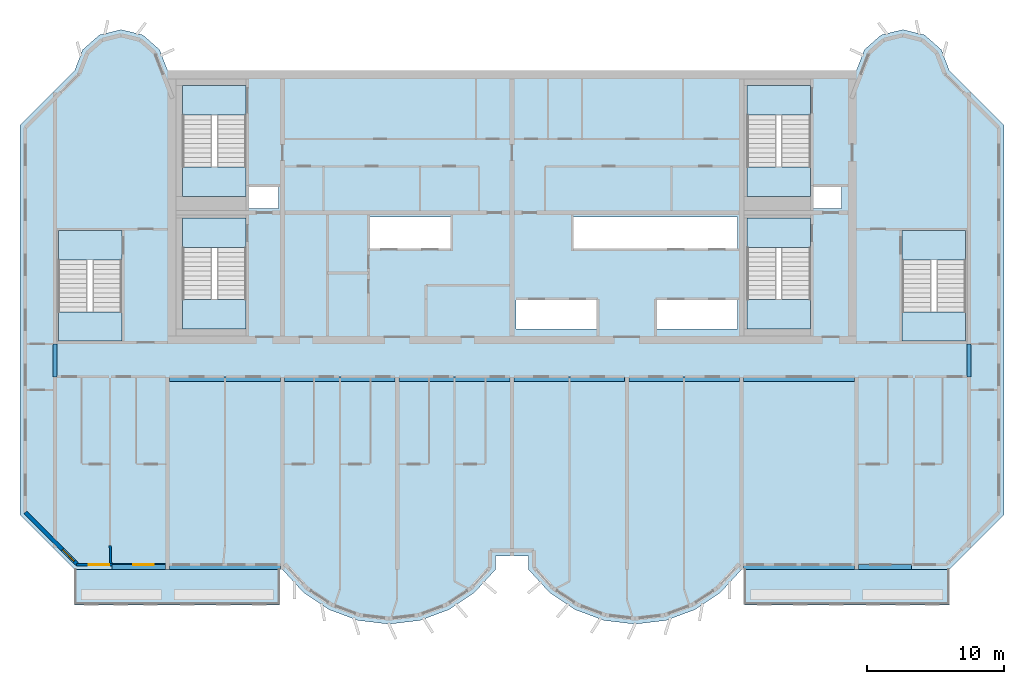
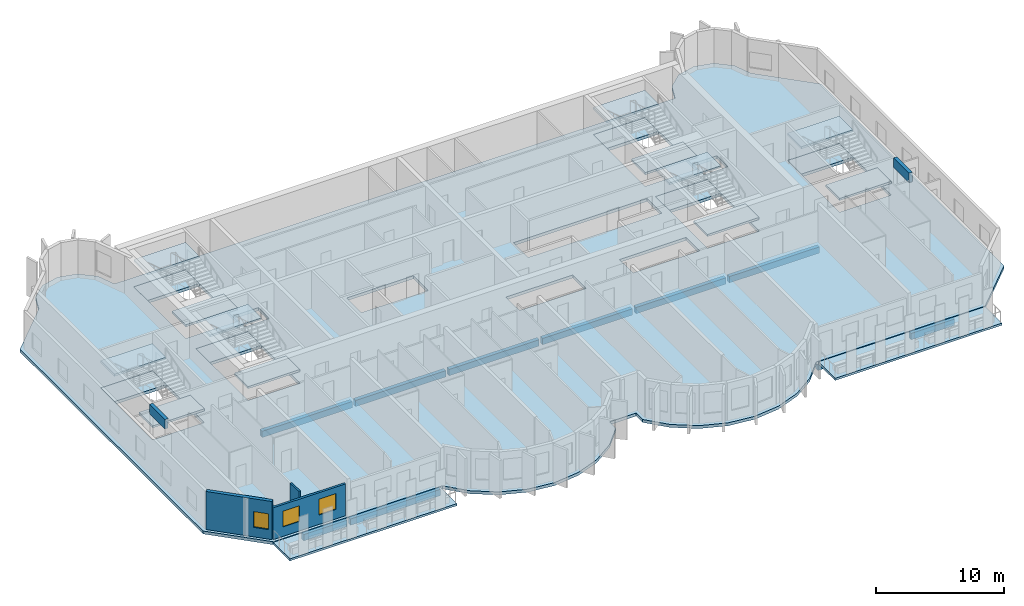
# One storey, part 1 of 11: 21 slabs, 12 beams, 3 walls, 3 windows, 3 openings, 6 elements without a shape of their own.
"""IFC4 building model written with IfcOpenShell, lengths in metres."""

from ifc_helpers import new_model, si_unit, direction, frame, frame_2d, origin, origin_2d, place, context, subcontext, project, spatial, polyline, rectangle, outline, extrude, source, transform, mapped, material, layer, layer_set, material_profile, profile_set, type_object, element, fill, aggregate, save


model = new_model("IFC4")

# Units and contexts
model_context = context("Model", 3, precision=1e-05, world=origin(), true_north=direction((0.0, 1.0)))
body_context = subcontext(model_context, "Body", "Model", "MODEL_VIEW")
ifc_project = project(units=[si_unit("LENGTHUNIT", "METRE"), si_unit("AREAUNIT", "SQUARE_METRE"), si_unit("VOLUMEUNIT", "CUBIC_METRE"), si_unit("PLANEANGLEUNIT", "RADIAN"), si_unit("MASSUNIT", "GRAM", prefix="KILO")], contexts=[model_context])

# Site, building, storey
site_placement = place(None, origin())
site = spatial("IfcSite", under=ifc_project, at=site_placement, CompositionType="ELEMENT")
building_placement = place(site_placement, origin())
building = spatial("IfcBuilding", under=site, at=building_placement, Name="Vanashikhar Sky Hotel", CompositionType="ELEMENT")
storey_placement = place(building_placement, frame((0.0, 0.0, 241.300048828125)))
storey = spatial("IfcBuildingStorey", under=building, at=storey_placement, Name="L58", CompositionType="ELEMENT", Elevation=241.300048828125)

# Beams
ifc_material_1 = material(Name="Concrete M50", Category="concrete")
ifc_material_profile_1 = material_profile(ifc_material_1, rectangle(XDim=0.300048828125, YDim=0.89990234375, at=origin_2d()))
ifc_profile_set_1 = profile_set([ifc_material_profile_1], Name="RC 300x900 beam Concrete M50")
beam_type_1 = type_object("IfcBeamType", Name="RC 300x900 beam Concrete M50", PredefinedType="LINTEL", material=ifc_profile_set_1)
shared_shape_1 = source(origin(), body_context, "Body", "SweptSolid", [
    extrude(rectangle(XDim=0.300048828125, YDim=0.89990234375, at=origin_2d()), origin(), (0.0, 0.0, 1.0), 2.39990234375),
])
for number, where, z_axis, x_axis, name in (
    (1, (16.949951171875, 19.60009765625, 3.169921875), (0.0, 1.0, 0.0), (-1.0, 0.0, 0.0), "LB-L58-XW03"),
    (2, (83.85009765625, 19.60009765625, 3.169921875), (0.0, 1.0, 0.0), (-1.0, 0.0, 0.0), "LB-L58-XW11"),
):
    element("IfcBeam", number, at=place(storey_placement, frame(where, z_axis=z_axis, x_axis=x_axis)), inside=storey, type_object=beam_type_1, Name=name, PredefinedType="LINTEL", context=body_context, shape_type="MappedRepresentation", body=[
        mapped(shared_shape_1, transform((0.0, 0.0, 0.0), scale=1.0)),
    ])
ifc_material_profile_2 = material_profile(ifc_material_1, rectangle(XDim=0.35009765625, YDim=0.60009765625, at=origin_2d()))
ifc_profile_set_2 = profile_set([ifc_material_profile_2], Name="RC 350x600 beam Concrete M50")
beam_type_2 = type_object("IfcBeamType", Name="RC 350x600 beam Concrete M50", PredefinedType="SPANDREL", material=ifc_profile_set_2)
shared_shape_2 = source(origin(), body_context, "Body", "SweptSolid", [
    extrude(rectangle(XDim=0.35009765625, YDim=0.60009765625, at=origin_2d()), origin(), (0.0, 0.0, 1.0), 8.099853515625),
])
for number, where, z_axis, x_axis, name in (
    (3, (25.35009765625, 5.675048828125, -0.580078125), (1.0, 0.0, 0.0), (0.0, 1.0, 0.0), "EB-L58-F01"),
    (4, (67.35009765625, 5.675048828125, -0.580078125), (1.0, 0.0, 0.0), (0.0, 1.0, 0.0), "EB-L58-F03"),
    (5, (25.35009765625, 19.425048828125, -0.580078125), (1.0, 0.0, 0.0), (0.0, 1.0, 0.0), "CB-L58-01"),
    (6, (50.550048828125, 19.425048828125, -0.580078125), (1.0, 0.0, 0.0), (0.0, 1.0, 0.0), "CB-L58-04"),
    (7, (67.35009765625, 19.425048828125, -0.580078125), (1.0, 0.0, 0.0), (0.0, 1.0, 0.0), "CB-L58-06"),
):
    element("IfcBeam", number, at=place(storey_placement, frame(where, z_axis=z_axis, x_axis=x_axis)), inside=storey, type_object=beam_type_2, Name=name, PredefinedType="SPANDREL", context=body_context, shape_type="MappedRepresentation", body=[
        mapped(shared_shape_2, transform((0.0, 0.0, 0.0), scale=1.0)),
    ])
ifc_material_profile_3 = material_profile(ifc_material_1, rectangle(XDim=0.35009765625, YDim=0.60009765625, at=origin_2d()))
ifc_profile_set_3 = profile_set([ifc_material_profile_3], Name="RC 350x600 cantilever beam Concrete M50")
beam_type_3 = type_object("IfcBeamType", Name="RC 350x600 cantilever beam Concrete M50", PredefinedType="SPANDREL", material=ifc_profile_set_3)
shared_shape_3 = source(origin(), body_context, "Body", "SweptSolid", [
    extrude(rectangle(XDim=0.35009765625, YDim=0.60009765625, at=origin_2d()), origin(), (0.0, 0.0, 1.0), 3.900146484375),
])
beam_1_placement = place(storey_placement, frame((21.14990234375, 5.675048828125, -0.580078125), z_axis=(1.0, 0.0, 0.0), x_axis=(0.0, 1.0, 0.0)))
element("IfcBeam", 8, at=beam_1_placement, inside=storey, type_object=beam_type_3, Name="EB-L58-F02", PredefinedType="SPANDREL", context=body_context, shape_type="MappedRepresentation", body=[
    mapped(shared_shape_3, transform((0.0, 0.0, 0.0), scale=1.0)),
])
shared_shape_4 = source(origin(), body_context, "Body", "SweptSolid", [
    extrude(rectangle(XDim=0.35009765625, YDim=0.60009765625, at=origin_2d()), origin(), (0.0, 0.0, 1.0), 3.89990234375),
])
beam_2_placement = place(storey_placement, frame((75.75, 5.675048828125, -0.580078125), z_axis=(1.0, 0.0, 0.0), x_axis=(0.0, 1.0, 0.0)))
element("IfcBeam", 9, at=beam_2_placement, inside=storey, type_object=beam_type_3, Name="EB-L58-F04", PredefinedType="SPANDREL", context=body_context, shape_type="MappedRepresentation", body=[
    mapped(shared_shape_4, transform((0.0, 0.0, 0.0), scale=1.0)),
])
shared_shape_5 = source(origin(), body_context, "Body", "SweptSolid", [
    extrude(rectangle(XDim=0.35009765625, YDim=0.60009765625, at=origin_2d()), origin(), (0.0, 0.0, 1.0), 8.10009765625),
])
for number, where, z_axis, x_axis, name in (
    (10, (33.75, 19.425048828125, -0.580078125), (1.0, 0.0, 0.0), (0.0, 1.0, 0.0), "CB-L58-02"),
    (11, (42.14990234375, 19.425048828125, -0.580078125), (1.0, 0.0, 0.0), (0.0, 1.0, 0.0), "CB-L58-03"),
    (12, (58.949951171875, 19.425048828125, -0.580078125), (1.0, 0.0, 0.0), (0.0, 1.0, 0.0), "CB-L58-05"),
):
    element("IfcBeam", number, at=place(storey_placement, frame(where, z_axis=z_axis, x_axis=x_axis)), inside=storey, type_object=beam_type_2, Name=name, PredefinedType="SPANDREL", context=body_context, shape_type="MappedRepresentation", body=[
        mapped(shared_shape_5, transform((0.0, 0.0, 0.0), scale=1.0)),
    ])

# Slabs
ifc_material_2 = material(Name="Concrete M40", Category="concrete")
ifc_layer_1 = layer(ifc_material_2, 0.280029296875)
ifc_layer_set_1 = layer_set([ifc_layer_1], Name="Floor slab 280 mm")
slab_type_1 = type_object("IfcSlabType", Name="Floor slab 280 mm", PredefinedType="FLOOR", material=ifc_layer_set_1)
shared_shape_6 = source(origin(), body_context, "Body", "SweptSolid", [
    extrude(outline(polyline([(49.199951171875, 5.5), (49.199951171875, 6.5), (51.60009765625, 6.5), (51.60009765625, 5.5), (53.133056640625, 3.825927734375), (55.01708984375, 2.55810546875), (57.14599609375, 1.76806640625), (59.39990234375, 1.5), (61.654052734375, 1.76806640625), (63.782958984375, 2.55810546875), (65.6669921875, 3.825927734375), (67.199951171875, 5.5), (82.39990234375, 5.5), (86.39990234375, 9.5), (86.39990234375, 38.0), (82.39990234375, 42.0), (81.81494140625, 43.527099609375), (80.587890625, 44.610107421875), (79.0, 45.0), (77.412109375, 44.610107421875), (76.18505859375, 43.527099609375), (75.60009765625, 42.0), (25.199951171875, 42.0), (24.614990234375, 43.527099609375), (23.387939453125, 44.610107421875), (21.800048828125, 45.0), (20.2119140625, 44.610107421875), (18.985107421875, 43.527099609375), (18.39990234375, 42.0), (14.39990234375, 38.0), (14.39990234375, 9.5), (18.39990234375, 5.5), (33.60009765625, 5.5), (35.133056640625, 3.825927734375), (37.01708984375, 2.55810546875), (39.14599609375, 1.76806640625), (41.39990234375, 1.5), (43.654052734375, 1.76806640625), (45.782958984375, 2.55810546875), (47.6669921875, 3.825927734375), (49.199951171875, 5.5)]), holes=[polyline([(33.300048828125, 33.60009765625), (31.050048828125, 33.60009765625), (31.050048828125, 31.89990234375), (33.300048828125, 31.89990234375), (33.300048828125, 33.60009765625)]), polyline([(39.89990234375, 31.300048828125), (39.89990234375, 29.0), (45.89990234375, 29.0), (45.89990234375, 31.300048828125), (39.89990234375, 31.300048828125)]), polyline([(50.699951171875, 25.199951171875), (50.699951171875, 23.10009765625), (56.699951171875, 23.10009765625), (56.699951171875, 25.199951171875), (50.699951171875, 25.199951171875)]), polyline([(66.89990234375, 29.0), (66.89990234375, 31.300048828125), (54.89990234375, 31.300048828125), (54.89990234375, 29.0), (66.89990234375, 29.0)]), polyline([(60.89990234375, 25.199951171875), (60.89990234375, 23.10009765625), (66.89990234375, 23.10009765625), (66.89990234375, 25.199951171875), (60.89990234375, 25.199951171875)]), polyline([(74.5, 33.60009765625), (72.35009765625, 33.60009765625), (72.35009765625, 31.89990234375), (74.5, 31.89990234375), (74.5, 33.60009765625)]), polyline([(30.949951171875, 23.10009765625), (30.949951171875, 31.199951171875), (26.300048828125, 31.199951171875), (26.300048828125, 23.10009765625), (30.949951171875, 23.10009765625)]), polyline([(72.25, 23.10009765625), (72.25, 31.199951171875), (67.60009765625, 31.199951171875), (67.60009765625, 23.10009765625), (72.25, 23.10009765625)]), polyline([(30.949951171875, 32.800048828125), (30.949951171875, 40.89990234375), (26.300048828125, 40.89990234375), (26.300048828125, 32.800048828125), (30.949951171875, 32.800048828125)]), polyline([(72.25, 32.800048828125), (72.25, 40.89990234375), (67.60009765625, 40.89990234375), (67.60009765625, 32.800048828125), (72.25, 32.800048828125)]), polyline([(83.60009765625, 22.199951171875), (83.60009765625, 30.300048828125), (78.949951171875, 30.300048828125), (78.949951171875, 22.199951171875), (83.60009765625, 22.199951171875)]), polyline([(21.85009765625, 22.199951171875), (21.85009765625, 30.300048828125), (17.199951171875, 30.300048828125), (17.199951171875, 22.199951171875), (21.85009765625, 22.199951171875)])]), origin(), (0.0, 0.0, 1.0), 0.280029296875),
])
slab_1_placement = place(storey_placement, frame((0.0, 0.0, -0.280029296875)))
element("IfcSlab", 13, at=slab_1_placement, inside=storey, type_object=slab_type_1, Name="Floor slab L58", PredefinedType="FLOOR", context=body_context, shape_type="MappedRepresentation", body=[
    mapped(shared_shape_6, transform((0.0, 0.0, 0.0), scale=1.0)),
])
ifc_layer_2 = layer(ifc_material_2, 0.199951171875)
ifc_layer_set_2 = layer_set([ifc_layer_2], Name="Balcony slab 200 mm")
slab_type_2 = type_object("IfcSlabType", Name="Balcony slab 200 mm", PredefinedType="USERDEFINED", material=ifc_layer_set_2)
shared_shape_7 = source(origin(), body_context, "Body", "SweptSolid", [
    extrude(outline(polyline([(18.39990234375, 2.89990234375), (33.39990234375, 2.89990234375), (33.39990234375, 5.5), (18.39990234375, 5.5), (18.39990234375, 2.89990234375)])), origin(), (0.0, 0.0, 1.0), 0.199951171875),
])
slab_2_placement = place(storey_placement, frame((0.0, 0.0, -0.25)))
element("IfcSlab", 14, at=slab_2_placement, inside=storey, type_object=slab_type_2, Name="Balcony slab L58 1", ObjectType="BALCONY", PredefinedType="USERDEFINED", context=body_context, shape_type="MappedRepresentation", body=[
    mapped(shared_shape_7, transform((0.0, 0.0, 0.0), scale=1.0)),
])
shared_shape_8 = source(origin(), body_context, "Body", "SweptSolid", [
    extrude(outline(polyline([(67.39990234375, 2.89990234375), (82.39990234375, 2.89990234375), (82.39990234375, 5.5), (67.39990234375, 5.5), (67.39990234375, 2.89990234375)])), origin(), (0.0, 0.0, 1.0), 0.199951171875),
])
slab_3_placement = place(storey_placement, frame((0.0, 0.0, -0.25)))
element("IfcSlab", 15, at=slab_3_placement, inside=storey, type_object=slab_type_2, Name="Balcony slab L58 2", ObjectType="BALCONY", PredefinedType="USERDEFINED", context=body_context, shape_type="MappedRepresentation", body=[
    mapped(shared_shape_8, transform((0.0, 0.0, 0.0), scale=1.0)),
])

# Stair, slabs
stair_type = type_object("IfcStairType", Name="Exit stair 2150", PredefinedType="DOUBLE_RETURN_STAIR", material=ifc_material_2)
stair_1_placement = place(storey_placement, origin())
stair_1 = element("IfcStair", 16, at=stair_1_placement, inside=storey, type_object=stair_type, Name="L58 Exit stair 1", PredefinedType="DOUBLE_RETURN_STAIR")
ifc_layer_3 = layer(ifc_material_2, 0.199951171875)
ifc_layer_set_3 = layer_set([ifc_layer_3], Name="Stair landing 200")
slab_type_3 = type_object("IfcSlabType", Name="Stair landing 200", PredefinedType="LANDING", material=ifc_layer_set_3)
shared_shape_9 = source(origin(), body_context, "Body", "SweptSolid", [
    extrude(outline(polyline([(30.949951171875, 29.050048828125), (30.949951171875, 31.199951171875), (26.300048828125, 31.199951171875), (26.300048828125, 29.050048828125), (30.949951171875, 29.050048828125)])), origin(), (0.0, 0.0, 1.0), 0.199951171875),
])
slab_4_placement = place(storey_placement, frame((0.0, 0.0, 2.39990234375)))
slab_4 = element("IfcSlab", 17, at=slab_4_placement, type_object=slab_type_3, Name="ST-C1 landing 2", PredefinedType="LANDING", context=body_context, shape_type="MappedRepresentation", body=[
    mapped(shared_shape_9, transform((0.0, 0.0, 0.0), scale=1.0)),
])
shared_shape_10 = source(origin(), body_context, "Body", "SweptSolid", [
    extrude(outline(polyline([(30.949951171875, 23.10009765625), (30.949951171875, 25.25), (26.300048828125, 25.25), (26.300048828125, 23.10009765625), (30.949951171875, 23.10009765625)])), origin(), (0.0, 0.0, 1.0), 0.2001953125),
])
slab_5_placement = place(storey_placement, frame((0.0, 0.0, 1.099853515625)))
slab_5 = element("IfcSlab", 18, at=slab_5_placement, type_object=slab_type_3, Name="ST-C1 landing 1", PredefinedType="LANDING", context=body_context, shape_type="MappedRepresentation", body=[
    mapped(shared_shape_10, transform((0.0, 0.0, 0.0), scale=1.0)),
])
aggregate(stair_1, [slab_5, slab_4])

# Slab
ifc_layer_4 = layer(ifc_material_2, 0.280029296875)
ifc_layer_set_4 = layer_set([ifc_layer_4], Name="Stair floor landing 280")
slab_type_4 = type_object("IfcSlabType", Name="Stair floor landing 280", PredefinedType="LANDING", material=ifc_layer_set_4)
shared_shape_11 = source(origin(), body_context, "Body", "SweptSolid", [
    extrude(outline(polyline([(30.949951171875, 29.050048828125), (30.949951171875, 31.199951171875), (26.300048828125, 31.199951171875), (26.300048828125, 29.050048828125), (30.949951171875, 29.050048828125)])), origin(), (0.0, 0.0, 1.0), 0.280029296875),
])
slab_6_placement = place(storey_placement, frame((0.0, 0.0, -0.280029296875)))
element("IfcSlab", 19, at=slab_6_placement, inside=storey, type_object=slab_type_4, Name="Exit stair 1 floor landing", PredefinedType="LANDING", context=body_context, shape_type="MappedRepresentation", body=[
    mapped(shared_shape_11, transform((0.0, 0.0, 0.0), scale=1.0)),
])

# Stair, slabs
stair_2_placement = place(storey_placement, origin())
stair_2 = element("IfcStair", 20, at=stair_2_placement, inside=storey, type_object=stair_type, Name="L58 Exit stair 2", PredefinedType="DOUBLE_RETURN_STAIR")
shared_shape_12 = source(origin(), body_context, "Body", "SweptSolid", [
    extrude(outline(polyline([(72.25, 29.050048828125), (72.25, 31.199951171875), (67.60009765625, 31.199951171875), (67.60009765625, 29.050048828125), (72.25, 29.050048828125)])), origin(), (0.0, 0.0, 1.0), 0.199951171875),
])
slab_7_placement = place(storey_placement, frame((0.0, 0.0, 2.39990234375)))
slab_7 = element("IfcSlab", 21, at=slab_7_placement, type_object=slab_type_3, Name="ST-C2 landing 2", PredefinedType="LANDING", context=body_context, shape_type="MappedRepresentation", body=[
    mapped(shared_shape_12, transform((0.0, 0.0, 0.0), scale=1.0)),
])
shared_shape_13 = source(origin(), body_context, "Body", "SweptSolid", [
    extrude(outline(polyline([(72.25, 23.10009765625), (72.25, 25.25), (67.60009765625, 25.25), (67.60009765625, 23.10009765625), (72.25, 23.10009765625)])), origin(), (0.0, 0.0, 1.0), 0.2001953125),
])
slab_8_placement = place(storey_placement, frame((0.0, 0.0, 1.099853515625)))
slab_8 = element("IfcSlab", 22, at=slab_8_placement, type_object=slab_type_3, Name="ST-C2 landing 1", PredefinedType="LANDING", context=body_context, shape_type="MappedRepresentation", body=[
    mapped(shared_shape_13, transform((0.0, 0.0, 0.0), scale=1.0)),
])
aggregate(stair_2, [slab_8, slab_7])

# Slab
shared_shape_14 = source(origin(), body_context, "Body", "SweptSolid", [
    extrude(outline(polyline([(72.25, 29.050048828125), (72.25, 31.199951171875), (67.60009765625, 31.199951171875), (67.60009765625, 29.050048828125), (72.25, 29.050048828125)])), origin(), (0.0, 0.0, 1.0), 0.280029296875),
])
slab_9_placement = place(storey_placement, frame((0.0, 0.0, -0.280029296875)))
element("IfcSlab", 23, at=slab_9_placement, inside=storey, type_object=slab_type_4, Name="Exit stair 2 floor landing", PredefinedType="LANDING", context=body_context, shape_type="MappedRepresentation", body=[
    mapped(shared_shape_14, transform((0.0, 0.0, 0.0), scale=1.0)),
])

# Stair, slabs
stair_3_placement = place(storey_placement, origin())
stair_3 = element("IfcStair", 24, at=stair_3_placement, inside=storey, type_object=stair_type, Name="L58 Exit stair 3", PredefinedType="DOUBLE_RETURN_STAIR")
shared_shape_15 = source(origin(), body_context, "Body", "SweptSolid", [
    extrude(outline(polyline([(21.85009765625, 28.14990234375), (21.85009765625, 30.300048828125), (17.199951171875, 30.300048828125), (17.199951171875, 28.14990234375), (21.85009765625, 28.14990234375)])), origin(), (0.0, 0.0, 1.0), 0.199951171875),
])
slab_10_placement = place(storey_placement, frame((0.0, 0.0, 2.39990234375)))
slab_10 = element("IfcSlab", 25, at=slab_10_placement, type_object=slab_type_3, Name="ST-W landing 2", PredefinedType="LANDING", context=body_context, shape_type="MappedRepresentation", body=[
    mapped(shared_shape_15, transform((0.0, 0.0, 0.0), scale=1.0)),
])
shared_shape_16 = source(origin(), body_context, "Body", "SweptSolid", [
    extrude(outline(polyline([(21.85009765625, 22.199951171875), (21.85009765625, 24.35009765625), (17.199951171875, 24.35009765625), (17.199951171875, 22.199951171875), (21.85009765625, 22.199951171875)])), origin(), (0.0, 0.0, 1.0), 0.2001953125),
])
slab_11_placement = place(storey_placement, frame((0.0, 0.0, 1.099853515625)))
slab_11 = element("IfcSlab", 26, at=slab_11_placement, type_object=slab_type_3, Name="ST-W landing 1", PredefinedType="LANDING", context=body_context, shape_type="MappedRepresentation", body=[
    mapped(shared_shape_16, transform((0.0, 0.0, 0.0), scale=1.0)),
])
aggregate(stair_3, [slab_11, slab_10])

# Slab
shared_shape_17 = source(origin(), body_context, "Body", "SweptSolid", [
    extrude(outline(polyline([(21.85009765625, 28.14990234375), (21.85009765625, 30.300048828125), (17.199951171875, 30.300048828125), (17.199951171875, 28.14990234375), (21.85009765625, 28.14990234375)])), origin(), (0.0, 0.0, 1.0), 0.280029296875),
])
slab_12_placement = place(storey_placement, frame((0.0, 0.0, -0.280029296875)))
element("IfcSlab", 27, at=slab_12_placement, inside=storey, type_object=slab_type_4, Name="Exit stair 3 floor landing", PredefinedType="LANDING", context=body_context, shape_type="MappedRepresentation", body=[
    mapped(shared_shape_17, transform((0.0, 0.0, 0.0), scale=1.0)),
])

# Stair, slabs
stair_4_placement = place(storey_placement, origin())
stair_4 = element("IfcStair", 28, at=stair_4_placement, inside=storey, type_object=stair_type, Name="L58 Exit stair 4", PredefinedType="DOUBLE_RETURN_STAIR")
shared_shape_18 = source(origin(), body_context, "Body", "SweptSolid", [
    extrude(outline(polyline([(83.60009765625, 28.14990234375), (83.60009765625, 30.300048828125), (78.949951171875, 30.300048828125), (78.949951171875, 28.14990234375), (83.60009765625, 28.14990234375)])), origin(), (0.0, 0.0, 1.0), 0.199951171875),
])
slab_13_placement = place(storey_placement, frame((0.0, 0.0, 2.39990234375)))
slab_13 = element("IfcSlab", 29, at=slab_13_placement, type_object=slab_type_3, Name="ST-E landing 2", PredefinedType="LANDING", context=body_context, shape_type="MappedRepresentation", body=[
    mapped(shared_shape_18, transform((0.0, 0.0, 0.0), scale=1.0)),
])
shared_shape_19 = source(origin(), body_context, "Body", "SweptSolid", [
    extrude(outline(polyline([(83.60009765625, 22.199951171875), (83.60009765625, 24.35009765625), (78.949951171875, 24.35009765625), (78.949951171875, 22.199951171875), (83.60009765625, 22.199951171875)])), origin(), (0.0, 0.0, 1.0), 0.2001953125),
])
slab_14_placement = place(storey_placement, frame((0.0, 0.0, 1.099853515625)))
slab_14 = element("IfcSlab", 30, at=slab_14_placement, type_object=slab_type_3, Name="ST-E landing 1", PredefinedType="LANDING", context=body_context, shape_type="MappedRepresentation", body=[
    mapped(shared_shape_19, transform((0.0, 0.0, 0.0), scale=1.0)),
])
aggregate(stair_4, [slab_14, slab_13])

# Slab
shared_shape_20 = source(origin(), body_context, "Body", "SweptSolid", [
    extrude(outline(polyline([(83.60009765625, 28.14990234375), (83.60009765625, 30.300048828125), (78.949951171875, 30.300048828125), (78.949951171875, 28.14990234375), (83.60009765625, 28.14990234375)])), origin(), (0.0, 0.0, 1.0), 0.280029296875),
])
slab_15_placement = place(storey_placement, frame((0.0, 0.0, -0.280029296875)))
element("IfcSlab", 31, at=slab_15_placement, inside=storey, type_object=slab_type_4, Name="Exit stair 4 floor landing", PredefinedType="LANDING", context=body_context, shape_type="MappedRepresentation", body=[
    mapped(shared_shape_20, transform((0.0, 0.0, 0.0), scale=1.0)),
])

# Stair, slabs
stair_5_placement = place(storey_placement, origin())
stair_5 = element("IfcStair", 32, at=stair_5_placement, inside=storey, type_object=stair_type, Name="L58 Exit stair 5", PredefinedType="DOUBLE_RETURN_STAIR")
shared_shape_21 = source(origin(), body_context, "Body", "SweptSolid", [
    extrude(outline(polyline([(30.949951171875, 38.75), (30.949951171875, 40.89990234375), (26.300048828125, 40.89990234375), (26.300048828125, 38.75), (30.949951171875, 38.75)])), origin(), (0.0, 0.0, 1.0), 0.199951171875),
])
slab_16_placement = place(storey_placement, frame((0.0, 0.0, 2.39990234375)))
slab_16 = element("IfcSlab", 33, at=slab_16_placement, type_object=slab_type_3, Name="ST-C3 landing 2", PredefinedType="LANDING", context=body_context, shape_type="MappedRepresentation", body=[
    mapped(shared_shape_21, transform((0.0, 0.0, 0.0), scale=1.0)),
])
shared_shape_22 = source(origin(), body_context, "Body", "SweptSolid", [
    extrude(outline(polyline([(30.949951171875, 32.800048828125), (30.949951171875, 34.949951171875), (26.300048828125, 34.949951171875), (26.300048828125, 32.800048828125), (30.949951171875, 32.800048828125)])), origin(), (0.0, 0.0, 1.0), 0.2001953125),
])
slab_17_placement = place(storey_placement, frame((0.0, 0.0, 1.099853515625)))
slab_17 = element("IfcSlab", 34, at=slab_17_placement, type_object=slab_type_3, Name="ST-C3 landing 1", PredefinedType="LANDING", context=body_context, shape_type="MappedRepresentation", body=[
    mapped(shared_shape_22, transform((0.0, 0.0, 0.0), scale=1.0)),
])
aggregate(stair_5, [slab_17, slab_16])

# Slab
shared_shape_23 = source(origin(), body_context, "Body", "SweptSolid", [
    extrude(outline(polyline([(30.949951171875, 38.75), (30.949951171875, 40.89990234375), (26.300048828125, 40.89990234375), (26.300048828125, 38.75), (30.949951171875, 38.75)])), origin(), (0.0, 0.0, 1.0), 0.280029296875),
])
slab_18_placement = place(storey_placement, frame((0.0, 0.0, -0.280029296875)))
element("IfcSlab", 35, at=slab_18_placement, inside=storey, type_object=slab_type_4, Name="Exit stair 5 floor landing", PredefinedType="LANDING", context=body_context, shape_type="MappedRepresentation", body=[
    mapped(shared_shape_23, transform((0.0, 0.0, 0.0), scale=1.0)),
])

# Stair, slabs
stair_6_placement = place(storey_placement, origin())
stair_6 = element("IfcStair", 36, at=stair_6_placement, inside=storey, type_object=stair_type, Name="L58 Exit stair 6", PredefinedType="DOUBLE_RETURN_STAIR")
shared_shape_24 = source(origin(), body_context, "Body", "SweptSolid", [
    extrude(outline(polyline([(72.25, 38.75), (72.25, 40.89990234375), (67.60009765625, 40.89990234375), (67.60009765625, 38.75), (72.25, 38.75)])), origin(), (0.0, 0.0, 1.0), 0.199951171875),
])
slab_19_placement = place(storey_placement, frame((0.0, 0.0, 2.39990234375)))
slab_19 = element("IfcSlab", 37, at=slab_19_placement, type_object=slab_type_3, Name="ST-C4 landing 2", PredefinedType="LANDING", context=body_context, shape_type="MappedRepresentation", body=[
    mapped(shared_shape_24, transform((0.0, 0.0, 0.0), scale=1.0)),
])
shared_shape_25 = source(origin(), body_context, "Body", "SweptSolid", [
    extrude(outline(polyline([(72.25, 32.800048828125), (72.25, 34.949951171875), (67.60009765625, 34.949951171875), (67.60009765625, 32.800048828125), (72.25, 32.800048828125)])), origin(), (0.0, 0.0, 1.0), 0.2001953125),
])
slab_20_placement = place(storey_placement, frame((0.0, 0.0, 1.099853515625)))
slab_20 = element("IfcSlab", 38, at=slab_20_placement, type_object=slab_type_3, Name="ST-C4 landing 1", PredefinedType="LANDING", context=body_context, shape_type="MappedRepresentation", body=[
    mapped(shared_shape_25, transform((0.0, 0.0, 0.0), scale=1.0)),
])
aggregate(stair_6, [slab_20, slab_19])

# Slab
shared_shape_26 = source(origin(), body_context, "Body", "SweptSolid", [
    extrude(outline(polyline([(72.25, 38.75), (72.25, 40.89990234375), (67.60009765625, 40.89990234375), (67.60009765625, 38.75), (72.25, 38.75)])), origin(), (0.0, 0.0, 1.0), 0.280029296875),
])
slab_21_placement = place(storey_placement, frame((0.0, 0.0, -0.280029296875)))
element("IfcSlab", 39, at=slab_21_placement, inside=storey, type_object=slab_type_4, Name="Exit stair 6 floor landing", PredefinedType="LANDING", context=body_context, shape_type="MappedRepresentation", body=[
    mapped(shared_shape_26, transform((0.0, 0.0, 0.0), scale=1.0)),
])

# Wall, openings, windows
ifc_layer_5 = layer(ifc_material_1, 0.199951171875)
ifc_layer_set_5 = layer_set([ifc_layer_5], Name="Front window wall 200")
wall_type_1 = type_object("IfcWallType", Name="Front window wall 200", PredefinedType="SOLIDWALL", material=ifc_layer_set_5)
shared_shape_27 = source(origin(), body_context, "Body", "SweptSolid", [
    extrude(rectangle(XDim=6.505126953125, YDim=0.199951171875, at=frame_2d((3.25244140625, 0.0))), origin(), (0.0, 0.0, 1.0), 3.02001953125),
])
wall_1_placement = place(storey_placement, frame((18.544921875, 5.85009765625, 0.0), z_axis=(0.0, 0.0, 1.0), x_axis=(1.0, 0.0, 0.0)))
wall_1 = element("IfcWall", 40, at=wall_1_placement, inside=storey, type_object=wall_type_1, Name="Front window wall", PredefinedType="SOLIDWALL", context=body_context, shape_type="MappedRepresentation", body=[
    mapped(shared_shape_27, transform((0.0, 0.0, 0.0), scale=1.0)),
])
shared_shape_28 = source(origin(), body_context, "Body", "SweptSolid", [
    extrude(rectangle(XDim=1.5, YDim=1.5, at=frame_2d((0.75, 0.75))), frame((0.0, 0.10986328125, 0.0), z_axis=(0.0, -1.0, 0.0), x_axis=(1.0, 0.0, 0.0)), (0.0, 0.0, 1.0), 0.219970703125),
])
opening_1_placement = place(wall_1_placement, frame((0.876220703125, 0.0, 0.89990234375)))
opening_1 = element("IfcOpeningElement", 41, at=opening_1_placement, cuts=wall_1, Name="Opening WN-1", PredefinedType="OPENING", context=body_context, shape_type="MappedRepresentation", body=[
    mapped(shared_shape_28, transform((0.0, 0.0, 0.0), scale=1.0)),
])
opening_2_placement = place(wall_1_placement, frame((4.128662109375, 0.0, 0.89990234375)))
opening_2 = element("IfcOpeningElement", 42, at=opening_2_placement, cuts=wall_1, Name="Opening WN-1", PredefinedType="OPENING", context=body_context, shape_type="MappedRepresentation", body=[
    mapped(shared_shape_28, transform((0.0, 0.0, 0.0), scale=1.0)),
])
ifc_material_3 = material(Name="Glass", Category="glass")
window_type_1 = type_object("IfcWindowType", Name="Window 1500 x 1500", PartitioningType="SINGLE_PANEL", PredefinedType="WINDOW", material=ifc_material_3)
shared_shape_29 = source(origin(), body_context, "Body", "SweptSolid", [
    extrude(rectangle(XDim=1.5, YDim=1.5, at=frame_2d((0.75, 0.75))), frame((0.0, 0.030029296875, 0.0), z_axis=(0.0, -1.0, 0.0), x_axis=(1.0, 0.0, 0.0)), (0.0, 0.0, 1.0), 0.06005859375),
])
window_1_placement = place(opening_1_placement, origin())
window_1 = element("IfcWindow", 43, at=window_1_placement, inside=storey, type_object=window_type_1, Name="Window WN-1", OverallHeight=1.5, OverallWidth=1.5, PartitioningType="SINGLE_PANEL", PredefinedType="WINDOW", context=body_context, shape_type="MappedRepresentation", body=[
    mapped(shared_shape_29, transform((0.0, 0.0, 0.0), scale=1.0)),
])
fill(opening_1, window_1)
window_2_placement = place(opening_2_placement, origin())
window_2 = element("IfcWindow", 44, at=window_2_placement, inside=storey, type_object=window_type_1, Name="Window WN-1", OverallHeight=1.5, OverallWidth=1.5, PartitioningType="SINGLE_PANEL", PredefinedType="WINDOW", context=body_context, shape_type="MappedRepresentation", body=[
    mapped(shared_shape_29, transform((0.0, 0.0, 0.0), scale=1.0)),
])
fill(opening_2, window_2)

# Wall, opening, window
ifc_layer_6 = layer(ifc_material_1, 0.300048828125)
ifc_layer_set_6 = layer_set([ifc_layer_6], Name="Lobe wall 300")
wall_type_2 = type_object("IfcWallType", Name="Lobe wall 300", PredefinedType="SOLIDWALL", material=ifc_layer_set_6)
shared_shape_30 = source(origin(), body_context, "Body", "SweptSolid", [
    extrude(rectangle(XDim=5.32568359375, YDim=0.300048828125, at=frame_2d((2.662841796875, 0.0))), origin(), (0.0, 0.0, 1.0), 3.619873046875),
])
wall_2_placement = place(storey_placement, frame((14.800048828125, 9.665771484375, 0.0), z_axis=(0.0, 0.0, 1.0), x_axis=(0.707083859269, -0.707129702361, 0.0)))
wall_2 = element("IfcWall", 45, at=wall_2_placement, inside=storey, type_object=wall_type_2, Name="Corner wall", PredefinedType="SOLIDWALL", context=body_context, shape_type="MappedRepresentation", body=[
    mapped(shared_shape_30, transform((0.0, 0.0, 0.0), scale=1.0)),
])
shared_shape_31 = source(origin(), body_context, "Body", "SweptSolid", [
    extrude(rectangle(XDim=1.199951171875, YDim=1.5, at=frame_2d((0.60009765625, 0.75))), frame((0.0, 0.16015625, 0.0), z_axis=(0.0, -1.0, 0.0), x_axis=(1.0, 0.0, 0.0)), (0.0, 0.0, 1.0), 0.320068359375),
])
opening_3_placement = place(wall_2_placement, frame((3.8330078125, 0.0, 0.89990234375)))
opening_3 = element("IfcOpeningElement", 46, at=opening_3_placement, cuts=wall_2, Name="Opening WN-3", PredefinedType="OPENING", context=body_context, shape_type="MappedRepresentation", body=[
    mapped(shared_shape_31, transform((0.0, 0.0, 0.0), scale=1.0)),
])
window_type_2 = type_object("IfcWindowType", Name="Corridor end window 1200 x 1500", PartitioningType="SINGLE_PANEL", PredefinedType="WINDOW", material=ifc_material_3)
shared_shape_32 = source(origin(), body_context, "Body", "SweptSolid", [
    extrude(rectangle(XDim=1.199951171875, YDim=1.5, at=frame_2d((0.60009765625, 0.75))), frame((0.0, 0.030029296875, 0.0), z_axis=(0.0, -1.0, 0.0), x_axis=(1.0, 0.0, 0.0)), (0.0, 0.0, 1.0), 0.06005859375),
])
window_3_placement = place(opening_3_placement, origin())
window_3 = element("IfcWindow", 47, at=window_3_placement, inside=storey, type_object=window_type_2, Name="Window WN-3", OverallHeight=1.5, OverallWidth=1.199951171875, PartitioningType="SINGLE_PANEL", PredefinedType="WINDOW", context=body_context, shape_type="MappedRepresentation", body=[
    mapped(shared_shape_32, transform((0.0, 0.0, 0.0), scale=1.0)),
])
fill(opening_3, window_3)

# Wall
ifc_material_4 = material(Name="Gypsum plasterboard partition")
ifc_layer_7 = layer(ifc_material_4, 0.14990234375)
ifc_layer_set_7 = layer_set([ifc_layer_7], Name="Corridor and demising partition 150")
wall_type_3 = type_object("IfcWallType", Name="Corridor and demising partition 150", PredefinedType="PARTITIONING", material=ifc_layer_set_7)
shared_shape_33 = source(origin(), body_context, "Body", "SweptSolid", [
    extrude(rectangle(XDim=1.30078125, YDim=0.14990234375, at=frame_2d((0.650390625, 0.0))), origin(), (0.0, 0.0, 1.0), 3.619873046875),
])
wall_3_placement = place(storey_placement, frame((21.041015625, 5.949951171875, 0.0), z_axis=(0.0, 0.0, 1.0), x_axis=(-0.031533606063, 0.999502692187, 0.0)))
element("IfcWall", 48, at=wall_3_placement, inside=storey, type_object=wall_type_3, Name="W-L58-PW007B0", PredefinedType="PARTITIONING", context=body_context, shape_type="MappedRepresentation", body=[
    mapped(shared_shape_33, transform((0.0, 0.0, 0.0), scale=1.0)),
])

save(model, "model.ifc")
